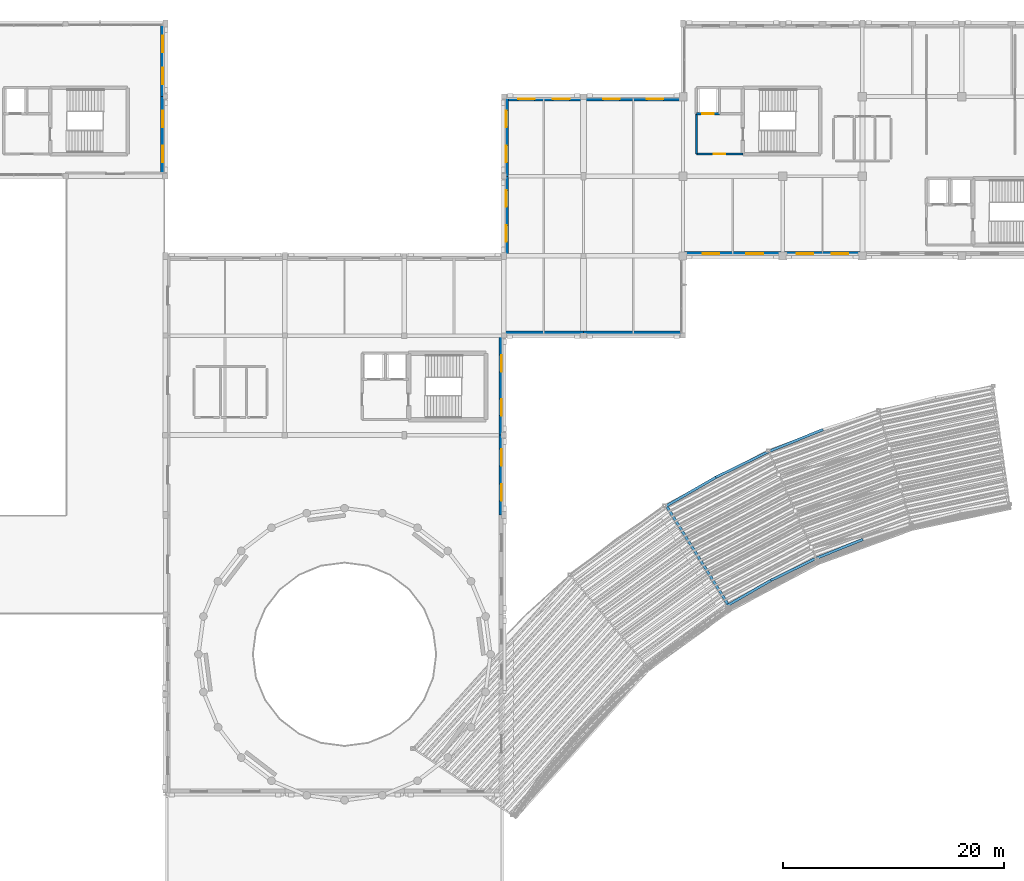
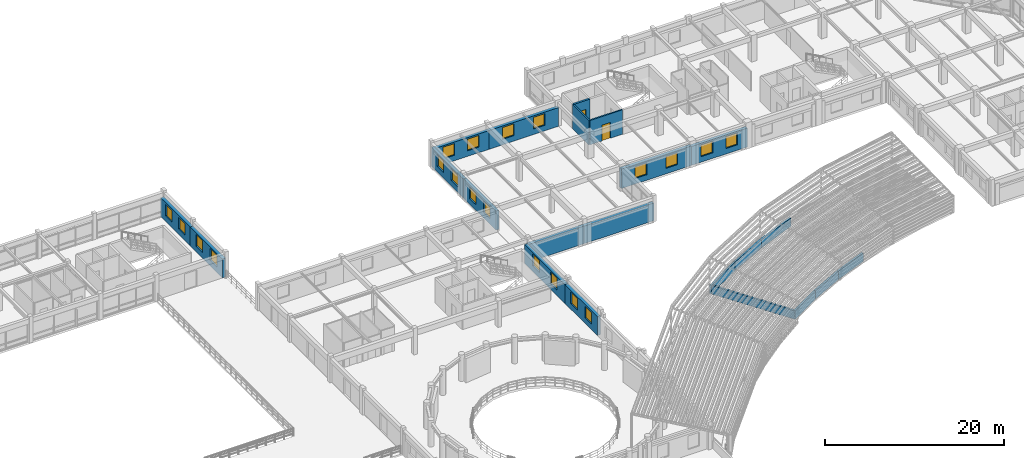
# One storey, part 53 of 74: 22 walls, 20 windows, 2 doors, 22 openings.
"""IFC4 building model written with IfcOpenShell, lengths in metres."""

from ifc_helpers import new_model, si_unit, direction, frame, frame_2d, origin, place, context, subcontext, project, spatial, rectangle, extrude, material, layer, layer_set, type_object, element, fill, save


model = new_model("IFC4")

# Units and contexts
model_context = context("Model", 3, precision=1e-05, world=origin(), true_north=direction((0.0, 1.0)))
body_context = subcontext(model_context, "Body", "Model", "MODEL_VIEW")
ifc_project = project(units=[si_unit("LENGTHUNIT", "METRE"), si_unit("AREAUNIT", "SQUARE_METRE"), si_unit("VOLUMEUNIT", "CUBIC_METRE"), si_unit("PLANEANGLEUNIT", "RADIAN"), si_unit("MASSUNIT", "GRAM", prefix="KILO")], contexts=[model_context])

# Site, building, storey
site_placement = place(None, origin())
site = spatial("IfcSite", under=ifc_project, at=site_placement, CompositionType="ELEMENT")
building_placement = place(site_placement, origin())
building = spatial("IfcBuilding", under=site, at=building_placement, Name="Clarverna Civic Hall", CompositionType="ELEMENT")
storey_placement = place(building_placement, frame((0.0, 0.0, 13.199951171875)))
storey = spatial("IfcBuildingStorey", under=building, at=storey_placement, Name="L03", CompositionType="ELEMENT", Elevation=13.199951171875)

# Wall, openings, windows
ifc_material_1 = material(Name="Montjuic Limestone Ashlar Cladding", Category="masonry")
ifc_layer_1 = layer(ifc_material_1, 0.39990234375)
ifc_layer_set_1 = layer_set([ifc_layer_1], Name="Montjuic Limestone Ashlar Cladding")
wall_type_1 = type_object("IfcWallType", Name="EW-02", PredefinedType="SOLIDWALL", material=ifc_layer_set_1)
wall_1_placement = place(storey_placement, frame((97.425048828125, 95.0, 0.0), z_axis=(0.0, 0.0, 1.0), x_axis=(0.0, 1.0, 0.0)))
wall_1 = element("IfcWall", 1, at=wall_1_placement, inside=storey, type_object=wall_type_1, Name="EW-02-139", PredefinedType="SOLIDWALL", context=body_context, shape_type="SweptSolid", body=[
    extrude(rectangle(XDim=7.199951171875, YDim=0.39990234375, at=frame_2d((3.60009765625, 0.0))), origin(), (0.0, 0.0, 1.0), 2.60009765625),
])
opening_1_placement = place(wall_1_placement, frame((1.26611328125, 0.0, 0.75)))
opening_1 = element("IfcOpeningElement", 2, at=opening_1_placement, cuts=wall_1, Name="Opening WN-14", PredefinedType="OPENING", context=body_context, shape_type="SweptSolid", body=[
    extrude(rectangle(XDim=1.5, YDim=1.60009765625, at=frame_2d((0.75, 0.800048828125))), frame((0.0, 0.2099609375, 0.0), z_axis=(0.0, -1.0, 0.0), x_axis=(1.0, 0.0, 0.0)), (0.0, 0.0, 1.0), 0.419921875),
])
opening_2_placement = place(wall_1_placement, frame((4.43408203125, 0.0, 0.75)))
opening_2 = element("IfcOpeningElement", 3, at=opening_2_placement, cuts=wall_1, Name="Opening WN-14", PredefinedType="OPENING", context=body_context, shape_type="SweptSolid", body=[
    extrude(rectangle(XDim=1.5, YDim=1.60009765625, at=frame_2d((0.75, 0.800048828125))), frame((0.0, 0.2099609375, 0.0), z_axis=(0.0, -1.0, 0.0), x_axis=(1.0, 0.0, 0.0)), (0.0, 0.0, 1.0), 0.419921875),
])
ifc_material_2 = material(Name="Solar-Control Argon Low-E Double Glazing", Category="glass")
window_type = type_object("IfcWindowType", Name="WN-14", PartitioningType="DOUBLE_PANEL_HORIZONTAL", PredefinedType="WINDOW", material=ifc_material_2)
window_1_placement = place(opening_1_placement, origin())
window_1 = element("IfcWindow", 4, at=window_1_placement, inside=storey, type_object=window_type, Name="WN-14-109", OverallHeight=1.60009765625, OverallWidth=1.5, PartitioningType="DOUBLE_PANEL_HORIZONTAL", PredefinedType="WINDOW", context=body_context, shape_type="SweptSolid", body=[
    extrude(rectangle(XDim=1.5, YDim=1.60009765625, at=frame_2d((0.75, 0.800048828125))), frame((0.0, 0.030029296875, 0.0), z_axis=(0.0, -1.0, 0.0), x_axis=(1.0, 0.0, 0.0)), (0.0, 0.0, 1.0), 0.06005859375),
])
fill(opening_1, window_1)
window_2_placement = place(opening_2_placement, origin())
window_2 = element("IfcWindow", 5, at=window_2_placement, inside=storey, type_object=window_type, Name="WN-14-110", OverallHeight=1.60009765625, OverallWidth=1.5, PartitioningType="DOUBLE_PANEL_HORIZONTAL", PredefinedType="WINDOW", context=body_context, shape_type="SweptSolid", body=[
    extrude(rectangle(XDim=1.5, YDim=1.60009765625, at=frame_2d((0.75, 0.800048828125))), frame((0.0, 0.030029296875, 0.0), z_axis=(0.0, -1.0, 0.0), x_axis=(1.0, 0.0, 0.0)), (0.0, 0.0, 1.0), 0.06005859375),
])
fill(opening_2, window_2)

wall_2_placement = place(storey_placement, frame((97.425048828125, 102.199951171875, 0.0), z_axis=(0.0, 0.0, 1.0), x_axis=(0.0, 1.0, 0.0)))
wall_2 = element("IfcWall", 6, at=wall_2_placement, inside=storey, type_object=wall_type_1, Name="EW-02-140", PredefinedType="SOLIDWALL", context=body_context, shape_type="SweptSolid", body=[
    extrude(rectangle(XDim=7.199951171875, YDim=0.39990234375, at=frame_2d((3.60009765625, 0.0))), origin(), (0.0, 0.0, 1.0), 2.580078125),
])
opening_3_placement = place(wall_2_placement, frame((1.26611328125, 0.0, 0.75)))
opening_3 = element("IfcOpeningElement", 7, at=opening_3_placement, cuts=wall_2, Name="Opening WN-14", PredefinedType="OPENING", context=body_context, shape_type="SweptSolid", body=[
    extrude(rectangle(XDim=1.5, YDim=1.60009765625, at=frame_2d((0.75, 0.800048828125))), frame((0.0, 0.2099609375, 0.0), z_axis=(0.0, -1.0, 0.0), x_axis=(1.0, 0.0, 0.0)), (0.0, 0.0, 1.0), 0.419921875),
])
opening_4_placement = place(wall_2_placement, frame((4.43408203125, 0.0, 0.75)))
opening_4 = element("IfcOpeningElement", 8, at=opening_4_placement, cuts=wall_2, Name="Opening WN-14", PredefinedType="OPENING", context=body_context, shape_type="SweptSolid", body=[
    extrude(rectangle(XDim=1.5, YDim=1.60009765625, at=frame_2d((0.75, 0.800048828125))), frame((0.0, 0.2099609375, 0.0), z_axis=(0.0, -1.0, 0.0), x_axis=(1.0, 0.0, 0.0)), (0.0, 0.0, 1.0), 0.419921875),
])
window_3_placement = place(opening_3_placement, origin())
window_3 = element("IfcWindow", 9, at=window_3_placement, inside=storey, type_object=window_type, Name="WN-14-111", OverallHeight=1.60009765625, OverallWidth=1.5, PartitioningType="DOUBLE_PANEL_HORIZONTAL", PredefinedType="WINDOW", context=body_context, shape_type="SweptSolid", body=[
    extrude(rectangle(XDim=1.5, YDim=1.60009765625, at=frame_2d((0.75, 0.800048828125))), frame((0.0, 0.030029296875, 0.0), z_axis=(0.0, -1.0, 0.0), x_axis=(1.0, 0.0, 0.0)), (0.0, 0.0, 1.0), 0.06005859375),
])
fill(opening_3, window_3)
window_4_placement = place(opening_4_placement, origin())
window_4 = element("IfcWindow", 10, at=window_4_placement, inside=storey, type_object=window_type, Name="WN-14-112", OverallHeight=1.60009765625, OverallWidth=1.5, PartitioningType="DOUBLE_PANEL_HORIZONTAL", PredefinedType="WINDOW", context=body_context, shape_type="SweptSolid", body=[
    extrude(rectangle(XDim=1.5, YDim=1.60009765625, at=frame_2d((0.75, 0.800048828125))), frame((0.0, 0.030029296875, 0.0), z_axis=(0.0, -1.0, 0.0), x_axis=(1.0, 0.0, 0.0)), (0.0, 0.0, 1.0), 0.06005859375),
])
fill(opening_4, window_4)

wall_3_placement = place(storey_placement, frame((97.22509765625, 109.199951171875, 0.0), z_axis=(0.0, 0.0, 1.0), x_axis=(1.0, 0.0, 0.0)))
wall_3 = element("IfcWall", 11, at=wall_3_placement, inside=storey, type_object=wall_type_1, Name="EW-02-141", PredefinedType="SOLIDWALL", context=body_context, shape_type="SweptSolid", body=[
    extrude(rectangle(XDim=7.1748046875, YDim=0.39990234375, at=frame_2d((3.58740234375, 0.0))), origin(), (0.0, 0.0, 1.0), 2.550048828125),
])
opening_5_placement = place(wall_3_placement, frame((1.259033203125, 0.0, 0.75)))
opening_5 = element("IfcOpeningElement", 12, at=opening_5_placement, cuts=wall_3, Name="Opening WN-14", PredefinedType="OPENING", context=body_context, shape_type="SweptSolid", body=[
    extrude(rectangle(XDim=1.5, YDim=1.60009765625, at=frame_2d((0.75, 0.800048828125))), frame((0.0, 0.2099609375, 0.0), z_axis=(0.0, -1.0, 0.0), x_axis=(1.0, 0.0, 0.0)), (0.0, 0.0, 1.0), 0.419921875),
])
opening_6_placement = place(wall_3_placement, frame((4.416015625, 0.0, 0.75)))
opening_6 = element("IfcOpeningElement", 13, at=opening_6_placement, cuts=wall_3, Name="Opening WN-14", PredefinedType="OPENING", context=body_context, shape_type="SweptSolid", body=[
    extrude(rectangle(XDim=1.5, YDim=1.60009765625, at=frame_2d((0.75, 0.800048828125))), frame((0.0, 0.2099609375, 0.0), z_axis=(0.0, -1.0, 0.0), x_axis=(1.0, 0.0, 0.0)), (0.0, 0.0, 1.0), 0.419921875),
])
window_5_placement = place(opening_5_placement, origin())
window_5 = element("IfcWindow", 14, at=window_5_placement, inside=storey, type_object=window_type, Name="WN-14-113", OverallHeight=1.60009765625, OverallWidth=1.5, PartitioningType="DOUBLE_PANEL_HORIZONTAL", PredefinedType="WINDOW", context=body_context, shape_type="SweptSolid", body=[
    extrude(rectangle(XDim=1.5, YDim=1.60009765625, at=frame_2d((0.75, 0.800048828125))), frame((0.0, 0.030029296875, 0.0), z_axis=(0.0, -1.0, 0.0), x_axis=(1.0, 0.0, 0.0)), (0.0, 0.0, 1.0), 0.06005859375),
])
fill(opening_5, window_5)
window_6_placement = place(opening_6_placement, origin())
window_6 = element("IfcWindow", 15, at=window_6_placement, inside=storey, type_object=window_type, Name="WN-14-114", OverallHeight=1.60009765625, OverallWidth=1.5, PartitioningType="DOUBLE_PANEL_HORIZONTAL", PredefinedType="WINDOW", context=body_context, shape_type="SweptSolid", body=[
    extrude(rectangle(XDim=1.5, YDim=1.60009765625, at=frame_2d((0.75, 0.800048828125))), frame((0.0, 0.030029296875, 0.0), z_axis=(0.0, -1.0, 0.0), x_axis=(1.0, 0.0, 0.0)), (0.0, 0.0, 1.0), 0.06005859375),
])
fill(opening_6, window_6)

wall_4_placement = place(storey_placement, frame((104.39990234375, 109.199951171875, 0.0), z_axis=(0.0, 0.0, 1.0), x_axis=(1.0, 0.0, 0.0)))
wall_4 = element("IfcWall", 16, at=wall_4_placement, inside=storey, type_object=wall_type_1, Name="EW-02-142", PredefinedType="SOLIDWALL", context=body_context, shape_type="SweptSolid", body=[
    extrude(rectangle(XDim=9.0, YDim=0.39990234375, at=frame_2d((4.5, 0.0))), origin(), (0.0, 0.0, 1.0), 2.550048828125),
])
opening_7_placement = place(wall_4_placement, frame((1.77001953125, 0.0, 0.75)))
opening_7 = element("IfcOpeningElement", 17, at=opening_7_placement, cuts=wall_4, Name="Opening WN-14", PredefinedType="OPENING", context=body_context, shape_type="SweptSolid", body=[
    extrude(rectangle(XDim=1.5, YDim=1.60009765625, at=frame_2d((0.75, 0.800048828125))), frame((0.0, 0.2099609375, 0.0), z_axis=(0.0, -1.0, 0.0), x_axis=(1.0, 0.0, 0.0)), (0.0, 0.0, 1.0), 0.419921875),
])
opening_8_placement = place(wall_4_placement, frame((5.72998046875, 0.0, 0.75)))
opening_8 = element("IfcOpeningElement", 18, at=opening_8_placement, cuts=wall_4, Name="Opening WN-14", PredefinedType="OPENING", context=body_context, shape_type="SweptSolid", body=[
    extrude(rectangle(XDim=1.5, YDim=1.60009765625, at=frame_2d((0.75, 0.800048828125))), frame((0.0, 0.2099609375, 0.0), z_axis=(0.0, -1.0, 0.0), x_axis=(1.0, 0.0, 0.0)), (0.0, 0.0, 1.0), 0.419921875),
])
window_7_placement = place(opening_7_placement, origin())
window_7 = element("IfcWindow", 19, at=window_7_placement, inside=storey, type_object=window_type, Name="WN-14-115", OverallHeight=1.60009765625, OverallWidth=1.5, PartitioningType="DOUBLE_PANEL_HORIZONTAL", PredefinedType="WINDOW", context=body_context, shape_type="SweptSolid", body=[
    extrude(rectangle(XDim=1.5, YDim=1.60009765625, at=frame_2d((0.75, 0.800048828125))), frame((0.0, 0.030029296875, 0.0), z_axis=(0.0, -1.0, 0.0), x_axis=(1.0, 0.0, 0.0)), (0.0, 0.0, 1.0), 0.06005859375),
])
fill(opening_7, window_7)
window_8_placement = place(opening_8_placement, origin())
window_8 = element("IfcWindow", 20, at=window_8_placement, inside=storey, type_object=window_type, Name="WN-14-116", OverallHeight=1.60009765625, OverallWidth=1.5, PartitioningType="DOUBLE_PANEL_HORIZONTAL", PredefinedType="WINDOW", context=body_context, shape_type="SweptSolid", body=[
    extrude(rectangle(XDim=1.5, YDim=1.60009765625, at=frame_2d((0.75, 0.800048828125))), frame((0.0, 0.030029296875, 0.0), z_axis=(0.0, -1.0, 0.0), x_axis=(1.0, 0.0, 0.0)), (0.0, 0.0, 1.0), 0.06005859375),
])
fill(opening_8, window_8)

wall_5_placement = place(storey_placement, frame((129.60009765625, 95.199951171875, 0.0), z_axis=(0.0, 0.0, 1.0), x_axis=(-1.0, 0.0, 0.0)))
wall_5 = element("IfcWall", 21, at=wall_5_placement, inside=storey, type_object=wall_type_1, Name="EW-02-156", PredefinedType="SOLIDWALL", context=body_context, shape_type="SweptSolid", body=[
    extrude(rectangle(XDim=7.2001953125, YDim=0.39990234375, at=frame_2d((3.60009765625, 0.0))), origin(), (0.0, 0.0, 1.0), 2.570068359375),
])
opening_9_placement = place(wall_5_placement, frame((1.26611328125, 0.0, 0.75)))
opening_9 = element("IfcOpeningElement", 22, at=opening_9_placement, cuts=wall_5, Name="Opening WN-14", PredefinedType="OPENING", context=body_context, shape_type="SweptSolid", body=[
    extrude(rectangle(XDim=1.5, YDim=1.60009765625, at=frame_2d((0.75, 0.800048828125))), frame((0.0, 0.2099609375, 0.0), z_axis=(0.0, -1.0, 0.0), x_axis=(1.0, 0.0, 0.0)), (0.0, 0.0, 1.0), 0.419921875),
])
opening_10_placement = place(wall_5_placement, frame((4.43408203125, 0.0, 0.75)))
opening_10 = element("IfcOpeningElement", 23, at=opening_10_placement, cuts=wall_5, Name="Opening WN-14", PredefinedType="OPENING", context=body_context, shape_type="SweptSolid", body=[
    extrude(rectangle(XDim=1.5, YDim=1.60009765625, at=frame_2d((0.75, 0.800048828125))), frame((0.0, 0.2099609375, 0.0), z_axis=(0.0, -1.0, 0.0), x_axis=(1.0, 0.0, 0.0)), (0.0, 0.0, 1.0), 0.419921875),
])
window_9_placement = place(opening_9_placement, origin())
window_9 = element("IfcWindow", 24, at=window_9_placement, inside=storey, type_object=window_type, Name="WN-14-134", OverallHeight=1.60009765625, OverallWidth=1.5, PartitioningType="DOUBLE_PANEL_HORIZONTAL", PredefinedType="WINDOW", context=body_context, shape_type="SweptSolid", body=[
    extrude(rectangle(XDim=1.5, YDim=1.60009765625, at=frame_2d((0.75, 0.800048828125))), frame((0.0, 0.030029296875, 0.0), z_axis=(0.0, -1.0, 0.0), x_axis=(1.0, 0.0, 0.0)), (0.0, 0.0, 1.0), 0.06005859375),
])
fill(opening_9, window_9)
window_10_placement = place(opening_10_placement, origin())
window_10 = element("IfcWindow", 25, at=window_10_placement, inside=storey, type_object=window_type, Name="WN-14-135", OverallHeight=1.60009765625, OverallWidth=1.5, PartitioningType="DOUBLE_PANEL_HORIZONTAL", PredefinedType="WINDOW", context=body_context, shape_type="SweptSolid", body=[
    extrude(rectangle(XDim=1.5, YDim=1.60009765625, at=frame_2d((0.75, 0.800048828125))), frame((0.0, 0.030029296875, 0.0), z_axis=(0.0, -1.0, 0.0), x_axis=(1.0, 0.0, 0.0)), (0.0, 0.0, 1.0), 0.06005859375),
])
fill(opening_10, window_10)

wall_6_placement = place(storey_placement, frame((122.39990234375, 95.199951171875, 0.0), z_axis=(0.0, 0.0, 1.0), x_axis=(-1.0, 0.0, 0.0)))
wall_6 = element("IfcWall", 26, at=wall_6_placement, inside=storey, type_object=wall_type_1, Name="EW-02-157", PredefinedType="SOLIDWALL", context=body_context, shape_type="SweptSolid", body=[
    extrude(rectangle(XDim=9.0, YDim=0.39990234375, at=frame_2d((4.5, 0.0))), origin(), (0.0, 0.0, 1.0), 2.650146484375),
])
opening_11_placement = place(wall_6_placement, frame((1.77001953125, 0.0, 0.75)))
opening_11 = element("IfcOpeningElement", 27, at=opening_11_placement, cuts=wall_6, Name="Opening WN-14", PredefinedType="OPENING", context=body_context, shape_type="SweptSolid", body=[
    extrude(rectangle(XDim=1.5, YDim=1.60009765625, at=frame_2d((0.75, 0.800048828125))), frame((0.0, 0.2099609375, 0.0), z_axis=(0.0, -1.0, 0.0), x_axis=(1.0, 0.0, 0.0)), (0.0, 0.0, 1.0), 0.419921875),
])
opening_12_placement = place(wall_6_placement, frame((5.72998046875, 0.0, 0.75)))
opening_12 = element("IfcOpeningElement", 28, at=opening_12_placement, cuts=wall_6, Name="Opening WN-14", PredefinedType="OPENING", context=body_context, shape_type="SweptSolid", body=[
    extrude(rectangle(XDim=1.5, YDim=1.60009765625, at=frame_2d((0.75, 0.800048828125))), frame((0.0, 0.2099609375, 0.0), z_axis=(0.0, -1.0, 0.0), x_axis=(1.0, 0.0, 0.0)), (0.0, 0.0, 1.0), 0.419921875),
])
window_11_placement = place(opening_11_placement, origin())
window_11 = element("IfcWindow", 29, at=window_11_placement, inside=storey, type_object=window_type, Name="WN-14-136", OverallHeight=1.60009765625, OverallWidth=1.5, PartitioningType="DOUBLE_PANEL_HORIZONTAL", PredefinedType="WINDOW", context=body_context, shape_type="SweptSolid", body=[
    extrude(rectangle(XDim=1.5, YDim=1.60009765625, at=frame_2d((0.75, 0.800048828125))), frame((0.0, 0.030029296875, 0.0), z_axis=(0.0, -1.0, 0.0), x_axis=(1.0, 0.0, 0.0)), (0.0, 0.0, 1.0), 0.06005859375),
])
fill(opening_11, window_11)
window_12_placement = place(opening_12_placement, origin())
window_12 = element("IfcWindow", 30, at=window_12_placement, inside=storey, type_object=window_type, Name="WN-14-137", OverallHeight=1.60009765625, OverallWidth=1.5, PartitioningType="DOUBLE_PANEL_HORIZONTAL", PredefinedType="WINDOW", context=body_context, shape_type="SweptSolid", body=[
    extrude(rectangle(XDim=1.5, YDim=1.60009765625, at=frame_2d((0.75, 0.800048828125))), frame((0.0, 0.030029296875, 0.0), z_axis=(0.0, -1.0, 0.0), x_axis=(1.0, 0.0, 0.0)), (0.0, 0.0, 1.0), 0.06005859375),
])
fill(opening_12, window_12)

# Walls
wall_7_placement = place(storey_placement, frame((113.39990234375, 88.0, 0.0), z_axis=(0.0, 0.0, 1.0), x_axis=(-1.0, 0.0, 0.0)))
element("IfcWall", 31, at=wall_7_placement, inside=storey, type_object=wall_type_1, Name="EW-02-158", PredefinedType="SOLIDWALL", context=body_context, shape_type="SweptSolid", body=[
    extrude(rectangle(XDim=9.0, YDim=0.39990234375, at=frame_2d((4.5, 0.0))), origin(), (0.0, 0.0, 1.0), 2.400146484375),
])
wall_8_placement = place(storey_placement, frame((104.39990234375, 88.0, 0.0), z_axis=(0.0, 0.0, 1.0), x_axis=(-1.0, 0.0, 0.0)))
element("IfcWall", 32, at=wall_8_placement, inside=storey, type_object=wall_type_1, Name="EW-02-159", PredefinedType="SOLIDWALL", context=body_context, shape_type="SweptSolid", body=[
    extrude(rectangle(XDim=7.224853515625, YDim=0.39990234375, at=frame_2d((3.6123046875, 0.0))), origin(), (0.0, 0.0, 1.0), 2.400146484375),
])

# Wall, openings, windows
wall_9_placement = place(storey_placement, frame((96.97509765625, 87.800048828125, 0.0), z_axis=(0.0, 0.0, 1.0), x_axis=(0.0, -1.0, 0.0)))
wall_9 = element("IfcWall", 33, at=wall_9_placement, inside=storey, type_object=wall_type_1, Name="EW-02-160", PredefinedType="SOLIDWALL", context=body_context, shape_type="SweptSolid", body=[
    extrude(rectangle(XDim=9.0, YDim=0.39990234375, at=frame_2d((4.5, 0.0))), origin(), (0.0, 0.0, 1.0), 2.580078125),
])
opening_13_placement = place(wall_9_placement, frame((1.77001953125, 0.0, 0.75)))
opening_13 = element("IfcOpeningElement", 34, at=opening_13_placement, cuts=wall_9, Name="Opening WN-14", PredefinedType="OPENING", context=body_context, shape_type="SweptSolid", body=[
    extrude(rectangle(XDim=1.5, YDim=1.60009765625, at=frame_2d((0.75, 0.800048828125))), frame((0.0, 0.2099609375, 0.0), z_axis=(0.0, -1.0, 0.0), x_axis=(1.0, 0.0, 0.0)), (0.0, 0.0, 1.0), 0.419921875),
])
opening_14_placement = place(wall_9_placement, frame((5.72998046875, 0.0, 0.75)))
opening_14 = element("IfcOpeningElement", 35, at=opening_14_placement, cuts=wall_9, Name="Opening WN-14", PredefinedType="OPENING", context=body_context, shape_type="SweptSolid", body=[
    extrude(rectangle(XDim=1.5, YDim=1.60009765625, at=frame_2d((0.75, 0.800048828125))), frame((0.0, 0.2099609375, 0.0), z_axis=(0.0, -1.0, 0.0), x_axis=(1.0, 0.0, 0.0)), (0.0, 0.0, 1.0), 0.419921875),
])
window_13_placement = place(opening_13_placement, origin())
window_13 = element("IfcWindow", 36, at=window_13_placement, inside=storey, type_object=window_type, Name="WN-14-138", OverallHeight=1.60009765625, OverallWidth=1.5, PartitioningType="DOUBLE_PANEL_HORIZONTAL", PredefinedType="WINDOW", context=body_context, shape_type="SweptSolid", body=[
    extrude(rectangle(XDim=1.5, YDim=1.60009765625, at=frame_2d((0.75, 0.800048828125))), frame((0.0, 0.030029296875, 0.0), z_axis=(0.0, -1.0, 0.0), x_axis=(1.0, 0.0, 0.0)), (0.0, 0.0, 1.0), 0.06005859375),
])
fill(opening_13, window_13)
window_14_placement = place(opening_14_placement, origin())
window_14 = element("IfcWindow", 37, at=window_14_placement, inside=storey, type_object=window_type, Name="WN-14-139", OverallHeight=1.60009765625, OverallWidth=1.5, PartitioningType="DOUBLE_PANEL_HORIZONTAL", PredefinedType="WINDOW", context=body_context, shape_type="SweptSolid", body=[
    extrude(rectangle(XDim=1.5, YDim=1.60009765625, at=frame_2d((0.75, 0.800048828125))), frame((0.0, 0.030029296875, 0.0), z_axis=(0.0, -1.0, 0.0), x_axis=(1.0, 0.0, 0.0)), (0.0, 0.0, 1.0), 0.06005859375),
])
fill(opening_14, window_14)

wall_10_placement = place(storey_placement, frame((96.97509765625, 78.800048828125, 0.0), z_axis=(0.0, 0.0, 1.0), x_axis=(0.0, -1.0, 0.0)))
wall_10 = element("IfcWall", 38, at=wall_10_placement, inside=storey, type_object=wall_type_1, Name="EW-02-161", PredefinedType="SOLIDWALL", context=body_context, shape_type="SweptSolid", body=[
    extrude(rectangle(XDim=7.199951171875, YDim=0.39990234375, at=frame_2d((3.60009765625, 0.0))), origin(), (0.0, 0.0, 1.0), 2.580078125),
])
opening_15_placement = place(wall_10_placement, frame((1.26611328125, 0.0, 0.75)))
opening_15 = element("IfcOpeningElement", 39, at=opening_15_placement, cuts=wall_10, Name="Opening WN-14", PredefinedType="OPENING", context=body_context, shape_type="SweptSolid", body=[
    extrude(rectangle(XDim=1.5, YDim=1.60009765625, at=frame_2d((0.75, 0.800048828125))), frame((0.0, 0.2099609375, 0.0), z_axis=(0.0, -1.0, 0.0), x_axis=(1.0, 0.0, 0.0)), (0.0, 0.0, 1.0), 0.419921875),
])
opening_16_placement = place(wall_10_placement, frame((4.43408203125, 0.0, 0.75)))
opening_16 = element("IfcOpeningElement", 40, at=opening_16_placement, cuts=wall_10, Name="Opening WN-14", PredefinedType="OPENING", context=body_context, shape_type="SweptSolid", body=[
    extrude(rectangle(XDim=1.5, YDim=1.60009765625, at=frame_2d((0.75, 0.800048828125))), frame((0.0, 0.2099609375, 0.0), z_axis=(0.0, -1.0, 0.0), x_axis=(1.0, 0.0, 0.0)), (0.0, 0.0, 1.0), 0.419921875),
])
window_15_placement = place(opening_15_placement, origin())
window_15 = element("IfcWindow", 41, at=window_15_placement, inside=storey, type_object=window_type, Name="WN-14-140", OverallHeight=1.60009765625, OverallWidth=1.5, PartitioningType="DOUBLE_PANEL_HORIZONTAL", PredefinedType="WINDOW", context=body_context, shape_type="SweptSolid", body=[
    extrude(rectangle(XDim=1.5, YDim=1.60009765625, at=frame_2d((0.75, 0.800048828125))), frame((0.0, 0.030029296875, 0.0), z_axis=(0.0, -1.0, 0.0), x_axis=(1.0, 0.0, 0.0)), (0.0, 0.0, 1.0), 0.06005859375),
])
fill(opening_15, window_15)
window_16_placement = place(opening_16_placement, origin())
window_16 = element("IfcWindow", 42, at=window_16_placement, inside=storey, type_object=window_type, Name="WN-14-141", OverallHeight=1.60009765625, OverallWidth=1.5, PartitioningType="DOUBLE_PANEL_HORIZONTAL", PredefinedType="WINDOW", context=body_context, shape_type="SweptSolid", body=[
    extrude(rectangle(XDim=1.5, YDim=1.60009765625, at=frame_2d((0.75, 0.800048828125))), frame((0.0, 0.030029296875, 0.0), z_axis=(0.0, -1.0, 0.0), x_axis=(1.0, 0.0, 0.0)), (0.0, 0.0, 1.0), 0.06005859375),
])
fill(opening_16, window_16)

wall_11_placement = place(storey_placement, frame((66.375, 116.0, 0.0), z_axis=(0.0, 0.0, 1.0), x_axis=(0.0, -1.0, 0.0)))
wall_11 = element("IfcWall", 43, at=wall_11_placement, inside=storey, type_object=wall_type_1, Name="EW-02-177", PredefinedType="SOLIDWALL", context=body_context, shape_type="SweptSolid", body=[
    extrude(rectangle(XDim=6.60009765625, YDim=0.39990234375, at=frame_2d((3.300048828125, 0.0))), origin(), (0.0, 0.0, 1.0), 2.580078125),
])
opening_17_placement = place(wall_11_placement, frame((1.097900390625, 0.0, 0.75)))
opening_17 = element("IfcOpeningElement", 44, at=opening_17_placement, cuts=wall_11, Name="Opening WN-14", PredefinedType="OPENING", context=body_context, shape_type="SweptSolid", body=[
    extrude(rectangle(XDim=1.5, YDim=1.60009765625, at=frame_2d((0.75, 0.800048828125))), frame((0.0, 0.2099609375, 0.0), z_axis=(0.0, -1.0, 0.0), x_axis=(1.0, 0.0, 0.0)), (0.0, 0.0, 1.0), 0.419921875),
])
opening_18_placement = place(wall_11_placement, frame((4.001953125, 0.0, 0.75)))
opening_18 = element("IfcOpeningElement", 45, at=opening_18_placement, cuts=wall_11, Name="Opening WN-14", PredefinedType="OPENING", context=body_context, shape_type="SweptSolid", body=[
    extrude(rectangle(XDim=1.5, YDim=1.60009765625, at=frame_2d((0.75, 0.800048828125))), frame((0.0, 0.2099609375, 0.0), z_axis=(0.0, -1.0, 0.0), x_axis=(1.0, 0.0, 0.0)), (0.0, 0.0, 1.0), 0.419921875),
])
window_17_placement = place(opening_17_placement, origin())
window_17 = element("IfcWindow", 46, at=window_17_placement, inside=storey, type_object=window_type, Name="WN-14-156", OverallHeight=1.60009765625, OverallWidth=1.5, PartitioningType="DOUBLE_PANEL_HORIZONTAL", PredefinedType="WINDOW", context=body_context, shape_type="SweptSolid", body=[
    extrude(rectangle(XDim=1.5, YDim=1.60009765625, at=frame_2d((0.75, 0.800048828125))), frame((0.0, 0.030029296875, 0.0), z_axis=(0.0, -1.0, 0.0), x_axis=(1.0, 0.0, 0.0)), (0.0, 0.0, 1.0), 0.06005859375),
])
fill(opening_17, window_17)
window_18_placement = place(opening_18_placement, origin())
window_18 = element("IfcWindow", 47, at=window_18_placement, inside=storey, type_object=window_type, Name="WN-14-157", OverallHeight=1.60009765625, OverallWidth=1.5, PartitioningType="DOUBLE_PANEL_HORIZONTAL", PredefinedType="WINDOW", context=body_context, shape_type="SweptSolid", body=[
    extrude(rectangle(XDim=1.5, YDim=1.60009765625, at=frame_2d((0.75, 0.800048828125))), frame((0.0, 0.030029296875, 0.0), z_axis=(0.0, -1.0, 0.0), x_axis=(1.0, 0.0, 0.0)), (0.0, 0.0, 1.0), 0.06005859375),
])
fill(opening_18, window_18)

wall_12_placement = place(storey_placement, frame((66.375, 109.39990234375, 0.0), z_axis=(0.0, 0.0, 1.0), x_axis=(0.0, -1.0, 0.0)))
wall_12 = element("IfcWall", 48, at=wall_12_placement, inside=storey, type_object=wall_type_1, Name="EW-02-178", PredefinedType="SOLIDWALL", context=body_context, shape_type="SweptSolid", body=[
    extrude(rectangle(XDim=7.199951171875, YDim=0.39990234375, at=frame_2d((3.60009765625, 0.0))), origin(), (0.0, 0.0, 1.0), 2.580078125),
])
opening_19_placement = place(wall_12_placement, frame((1.26611328125, 0.0, 0.75)))
opening_19 = element("IfcOpeningElement", 49, at=opening_19_placement, cuts=wall_12, Name="Opening WN-14", PredefinedType="OPENING", context=body_context, shape_type="SweptSolid", body=[
    extrude(rectangle(XDim=1.5, YDim=1.60009765625, at=frame_2d((0.75, 0.800048828125))), frame((0.0, 0.2099609375, 0.0), z_axis=(0.0, -1.0, 0.0), x_axis=(1.0, 0.0, 0.0)), (0.0, 0.0, 1.0), 0.419921875),
])
opening_20_placement = place(wall_12_placement, frame((4.43408203125, 0.0, 0.75)))
opening_20 = element("IfcOpeningElement", 50, at=opening_20_placement, cuts=wall_12, Name="Opening WN-14", PredefinedType="OPENING", context=body_context, shape_type="SweptSolid", body=[
    extrude(rectangle(XDim=1.5, YDim=1.60009765625, at=frame_2d((0.75, 0.800048828125))), frame((0.0, 0.2099609375, 0.0), z_axis=(0.0, -1.0, 0.0), x_axis=(1.0, 0.0, 0.0)), (0.0, 0.0, 1.0), 0.419921875),
])
window_19_placement = place(opening_19_placement, origin())
window_19 = element("IfcWindow", 51, at=window_19_placement, inside=storey, type_object=window_type, Name="WN-14-158", OverallHeight=1.60009765625, OverallWidth=1.5, PartitioningType="DOUBLE_PANEL_HORIZONTAL", PredefinedType="WINDOW", context=body_context, shape_type="SweptSolid", body=[
    extrude(rectangle(XDim=1.5, YDim=1.60009765625, at=frame_2d((0.75, 0.800048828125))), frame((0.0, 0.030029296875, 0.0), z_axis=(0.0, -1.0, 0.0), x_axis=(1.0, 0.0, 0.0)), (0.0, 0.0, 1.0), 0.06005859375),
])
fill(opening_19, window_19)
window_20_placement = place(opening_20_placement, origin())
window_20 = element("IfcWindow", 52, at=window_20_placement, inside=storey, type_object=window_type, Name="WN-14-159", OverallHeight=1.60009765625, OverallWidth=1.5, PartitioningType="DOUBLE_PANEL_HORIZONTAL", PredefinedType="WINDOW", context=body_context, shape_type="SweptSolid", body=[
    extrude(rectangle(XDim=1.5, YDim=1.60009765625, at=frame_2d((0.75, 0.800048828125))), frame((0.0, 0.030029296875, 0.0), z_axis=(0.0, -1.0, 0.0), x_axis=(1.0, 0.0, 0.0)), (0.0, 0.0, 1.0), 0.06005859375),
])
fill(opening_20, window_20)

# Walls
ifc_material_3 = material(Name="Precast concrete C40/50", Category="concrete")
ifc_layer_2 = layer(ifc_material_3, 0.239990234375)
ifc_layer_set_2 = layer_set([ifc_layer_2], Name="Precast concrete C40/50")
wall_type_2 = type_object("IfcWallType", Name="PR-01", PredefinedType="PARAPET", material=ifc_layer_set_2)
wall_13_placement = place(storey_placement, frame((121.33056640625, 65.672119140625, 0.0), z_axis=(0.0, 0.0, 1.0), x_axis=(-0.866006015803, -0.500033579465, 0.0)))
element("IfcWall", 53, at=wall_13_placement, inside=storey, type_object=wall_type_2, Name="PR-01-027", PredefinedType="PARAPET", context=body_context, shape_type="SweptSolid", body=[
    extrude(rectangle(XDim=4.551025390625, YDim=0.239990234375, at=frame_2d((2.275390625, 0.0))), origin(), (0.0, 0.0, 1.0), 1.150146484375),
])
wall_14_placement = place(storey_placement, frame((117.551025390625, 63.356201171875, 0.0), z_axis=(0.0, 0.0, 1.0), x_axis=(-0.529909532486, 0.848054177149, 0.0)))
element("IfcWall", 54, at=wall_14_placement, inside=storey, type_object=wall_type_2, Name="PR-01-028", PredefinedType="PARAPET", context=body_context, shape_type="SweptSolid", body=[
    extrude(rectangle(XDim=10.80029296875, YDim=0.239990234375, at=frame_2d((5.400146484375, 0.0))), origin(), (0.0, 0.0, 1.0), 1.150146484375),
])
for number, where, z_axis, x_axis, name in (
    (55, (111.7861328125, 72.347900390625, 0.0), (0.0, 0.0, 1.0), (0.866045332649, 0.499965480606, 0.0), "PR-01-029"),
    (56, (116.372802734375, 74.99609375, 0.0), (0.0, 0.0, 1.0), (0.898792771911, 0.438373759663, 0.0), "PR-01-030"),
    (57, (121.133056640625, 77.318115234375, 0.0), (0.0, 0.0, 1.0), (0.927176059175, 0.374625887109, 0.0), "PR-01-031"),
):
    element("IfcWall", number, at=place(storey_placement, frame(where, z_axis=z_axis, x_axis=x_axis)), inside=storey, type_object=wall_type_2, Name=name, PredefinedType="PARAPET", context=body_context, shape_type="SweptSolid", body=[
        extrude(rectangle(XDim=5.3046875, YDim=0.239990234375, at=frame_2d((2.65234375, 0.0))), origin(), (0.0, 0.0, 1.0), 1.150146484375),
    ])
wall_15_placement = place(storey_placement, frame((129.6552734375, 69.37939453125, 0.0), z_axis=(0.0, 0.0, 1.0), x_axis=(-0.927179853253, -0.374616496862, 0.0)))
element("IfcWall", 58, at=wall_15_placement, inside=storey, type_object=wall_type_2, Name="PR-01-039", PredefinedType="PARAPET", context=body_context, shape_type="SweptSolid", body=[
    extrude(rectangle(XDim=4.55078125, YDim=0.239990234375, at=frame_2d((2.275390625, 0.0))), origin(), (0.0, 0.0, 1.0), 1.150146484375),
])
wall_16_placement = place(storey_placement, frame((125.42822265625, 67.671142578125, 0.0), z_axis=(0.0, 0.0, 1.0), x_axis=(-0.898782881335, -0.438394037619, 0.0)))
element("IfcWall", 59, at=wall_16_placement, inside=storey, type_object=wall_type_2, Name="PR-01-040", PredefinedType="PARAPET", context=body_context, shape_type="SweptSolid", body=[
    extrude(rectangle(XDim=4.551025390625, YDim=0.239990234375, at=frame_2d((2.275390625, 0.0))), origin(), (0.0, 0.0, 1.0), 1.150146484375),
])
ifc_material_4 = material(Name="Acoustic Gypsum Plasterboard on Twin Frame", Category="gypsum")
ifc_layer_3 = layer(ifc_material_4, 0.18994140625)
ifc_layer_set_3 = layer_set([ifc_layer_3], Name="Acoustic Gypsum Plasterboard on Twin Frame")
wall_type_3 = type_object("IfcWallType", Name="PW-06", PredefinedType="PARTITIONING", material=ifc_layer_set_3)
wall_17_placement = place(storey_placement, frame((114.60009765625, 104.199951171875, 0.0), z_axis=(0.0, 0.0, 1.0), x_axis=(0.0, 1.0, 0.0)))
element("IfcWall", 60, at=wall_17_placement, inside=storey, type_object=wall_type_3, Name="PW-06-097", PredefinedType="PARTITIONING", context=body_context, shape_type="SweptSolid", body=[
    extrude(rectangle(XDim=3.650146484375, YDim=0.18994140625, at=frame_2d((1.8251953125, 0.0))), origin(), (0.0, 0.0, 1.0), 3.320068359375),
])

# Wall, opening, door
wall_18_placement = place(storey_placement, frame((114.60009765625, 104.199951171875, 0.0), z_axis=(0.0, 0.0, 1.0), x_axis=(1.0, 0.0, 0.0)))
wall_18 = element("IfcWall", 61, at=wall_18_placement, inside=storey, type_object=wall_type_3, Name="PW-06-098", PredefinedType="PARTITIONING", context=body_context, shape_type="SweptSolid", body=[
    extrude(rectangle(XDim=4.199951171875, YDim=0.18994140625, at=frame_2d((2.10009765625, 0.0))), origin(), (0.0, 0.0, 1.0), 3.320068359375),
])
opening_21_placement = place(wall_18_placement, frame((1.574951171875, 0.0, 0.0)))
opening_21 = element("IfcOpeningElement", 62, at=opening_21_placement, cuts=wall_18, Name="Opening FD-02", PredefinedType="OPENING", context=body_context, shape_type="SweptSolid", body=[
    extrude(rectangle(XDim=1.050048828125, YDim=2.14990234375, at=frame_2d((0.52490234375, 1.074951171875))), frame((0.0, 0.10498046875, 0.0), z_axis=(0.0, -1.0, 0.0), x_axis=(1.0, 0.0, 0.0)), (0.0, 0.0, 1.0), 0.2099609375),
])
ifc_material_5 = material(Name="Acoustic Timber-Faced Fire Door", Category="wood")
door_type_1 = type_object("IfcDoorType", Name="FD-02", OperationType="NOTDEFINED", PredefinedType="DOOR", material=ifc_material_5)
door_1_placement = place(opening_21_placement, origin())
door_1 = element("IfcDoor", 63, at=door_1_placement, inside=storey, type_object=door_type_1, Name="FD-02-090", OperationType="SINGLE_SWING_RIGHT", OverallHeight=2.14990234375, OverallWidth=1.050048828125, PredefinedType="DOOR", context=body_context, shape_type="SweptSolid", body=[
    extrude(rectangle(XDim=1.050048828125, YDim=2.14990234375, at=frame_2d((0.52490234375, 1.074951171875))), frame((0.0, 0.02490234375, 0.0), z_axis=(0.0, -1.0, 0.0), x_axis=(1.0, 0.0, 0.0)), (0.0, 0.0, 1.0), 0.050048828125),
])
fill(opening_21, door_1)

ifc_material_6 = material(Name="Concrete C35/45", Category="concrete")
ifc_layer_4 = layer(ifc_material_6, 0.300048828125)
ifc_layer_set_4 = layer_set([ifc_layer_4], Name="Concrete C35/45")
wall_type_4 = type_object("IfcWallType", Name="SW-03", PredefinedType="SHEAR", material=ifc_layer_set_4)
wall_19_placement = place(storey_placement, frame((114.60009765625, 107.85009765625, 0.0), z_axis=(0.0, 0.0, 1.0), x_axis=(1.0, 0.0, 0.0)))
wall_19 = element("IfcWall", 64, at=wall_19_placement, inside=storey, type_object=wall_type_4, Name="SW-03-188", PredefinedType="SHEAR", context=body_context, shape_type="SweptSolid", body=[
    extrude(rectangle(XDim=2.099853515625, YDim=0.239990234375, at=frame_2d((1.0498046875, 0.0))), origin(), (0.0, 0.0, 1.0), 3.320068359375),
])
opening_22_placement = place(wall_19_placement, frame((0.550048828125, 0.0, 0.0)))
opening_22 = element("IfcOpeningElement", 65, at=opening_22_placement, cuts=wall_19, Name="Opening LD-01", PredefinedType="OPENING", context=body_context, shape_type="SweptSolid", body=[
    extrude(rectangle(XDim=1.0, YDim=2.10009765625, at=frame_2d((0.5, 1.050048828125))), frame((0.0, 0.1298828125, 0.0), z_axis=(0.0, -1.0, 0.0), x_axis=(1.0, 0.0, 0.0)), (0.0, 0.0, 1.0), 0.260009765625),
])
ifc_material_7 = material(Name="Brushed Bronze Stainless Lift Landing Door")
door_type_2 = type_object("IfcDoorType", Name="LD-01", OperationType="SLIDING_TO_LEFT", PredefinedType="DOOR", material=ifc_material_7)
door_2_placement = place(opening_22_placement, origin())
door_2 = element("IfcDoor", 66, at=door_2_placement, inside=storey, type_object=door_type_2, Name="LD-01-068", OperationType="SLIDING_TO_LEFT", OverallHeight=2.10009765625, OverallWidth=1.0, PredefinedType="DOOR", context=body_context, shape_type="SweptSolid", body=[
    extrude(rectangle(XDim=1.0, YDim=2.10009765625, at=frame_2d((0.5, 1.050048828125))), frame((0.0, 0.02490234375, 0.0), z_axis=(0.0, -1.0, 0.0), x_axis=(1.0, 0.0, 0.0)), (0.0, 0.0, 1.0), 0.050048828125),
])
fill(opening_22, door_2)

save(model, "model.ifc")
